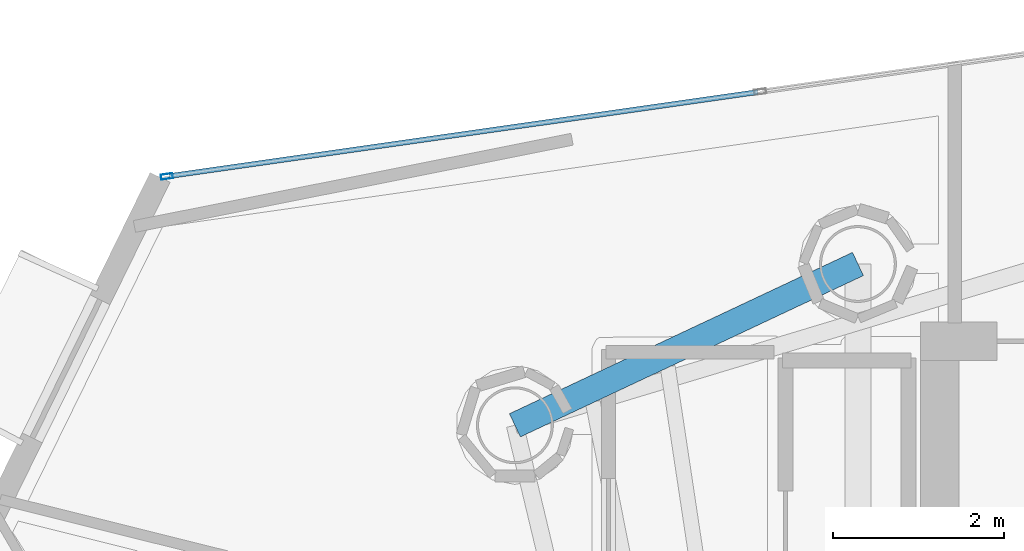
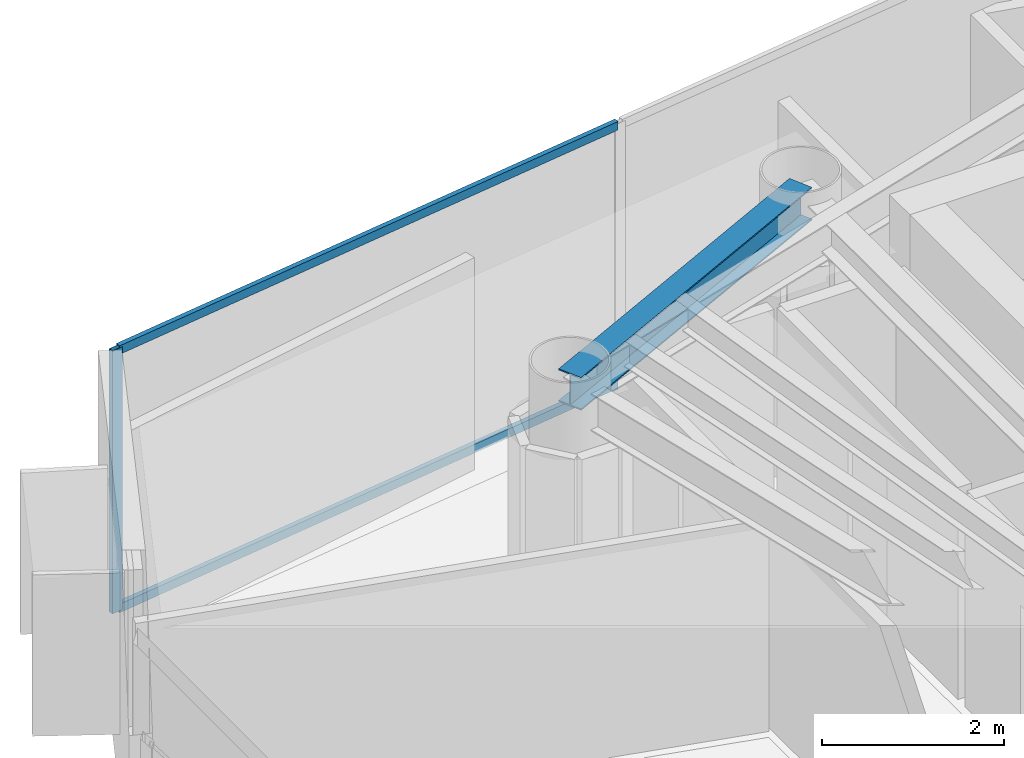
# One storey, part 11 of 25: 3 members, 1 beam, 1 element without a shape of its own.
"""IFC4 building model written with IfcOpenShell, lengths in metres."""

import ifcopenshell
import ifcopenshell.guid

model = None  # the IFC model being written
_history = None  # IfcOwnerHistory: only IFC2X3 demands one
_inside = {}  # id of a spatial element -> (the spatial element, [elements in it])
_under = {}  # id of a project, library or spatial element -> (it, [spatial elements below it])
_declared = {}  # id of a project -> (the project, [libraries it declares])
_typed = {}  # id of a type object -> (the type object, [elements of that type])
_made_of = {}  # id of a material, layer set ... -> (it, [elements and type objects made of it])


def new_model(schema):
    """Start an empty IFC model of exactly this schema.

    Asked for "IFC4X3", IfcOpenShell would pick the latest addendum, in which some entities
    have other attributes; the version numbers below select the first issue.
    IFC2X3 requires an IfcOwnerHistory on every rooted entity: one is made here for all.
    """
    global model, _history
    if schema == "IFC4X3":
        model = ifcopenshell.file(schema_version=(4, 3, 0, 0))
    else:
        model = ifcopenshell.file(schema=schema)
    _inside.clear()
    _under.clear()
    _declared.clear()
    _typed.clear()
    _made_of.clear()
    _history = None
    if model.schema == "IFC2X3":
        org = make("IfcOrganization", Name="unknown")
        user = make(
            "IfcPersonAndOrganization",
            ThePerson=make("IfcPerson", FamilyName="unknown"),
            TheOrganization=org,
        )
        app = make(
            "IfcApplication",
            ApplicationDeveloper=org,
            Version="unknown",
            ApplicationFullName="unknown",
            ApplicationIdentifier="unknown",
        )
        _history = make(
            "IfcOwnerHistory",
            OwningUser=user,
            OwningApplication=app,
            ChangeAction="ADDED",
            CreationDate=0,
        )
    return model


def make(cls, **values):
    """One entity of the class cls with the attributes given. An attribute that is None is left unset."""
    return model.create_entity(
        cls, **{name: value for name, value in values.items() if value is not None}
    )


def rooted(cls, **values):
    """An entity with a GlobalId (a new one), such as an element, a storey or a relation."""
    return make(cls, GlobalId=ifcopenshell.guid.new(), OwnerHistory=_history, **values)


def si_unit(unit_type, name, prefix=None):
    """IfcSIUnit, for example si_unit("LENGTHUNIT", "METRE", prefix="MILLI")."""
    return make("IfcSIUnit", UnitType=unit_type, Prefix=prefix, Name=name)


def assignment(units):
    """IfcUnitAssignment: the units of a project."""
    return None if units is None else make("IfcUnitAssignment", Units=units)


def point(xyz):
    """IfcCartesianPoint."""
    return None if xyz is None else make("IfcCartesianPoint", Coordinates=xyz)


def direction(xyz):
    """IfcDirection."""
    return None if xyz is None else make("IfcDirection", DirectionRatios=xyz)


def frame(location, z_axis=None, x_axis=None):
    """IfcAxis2Placement3D, a coordinate frame: its origin and axes. An axis left out is left unset."""
    return make(
        "IfcAxis2Placement3D",
        Location=point(location),
        Axis=direction(z_axis),
        RefDirection=direction(x_axis),
    )


def frame_2d(location, x_axis=None):
    """IfcAxis2Placement2D, a coordinate frame in the plane: its origin and x axis."""
    return make(
        "IfcAxis2Placement2D", Location=point(location), RefDirection=direction(x_axis)
    )


def origin():
    """The frame at (0, 0, 0) with its axes left unset."""
    return frame((0.0, 0.0, 0.0))


def origin_2d():
    """The frame at (0, 0) in the plane with its x axis left unset."""
    return frame_2d((0.0, 0.0))


def place(relative_to, where):
    """IfcLocalPlacement: puts the frame where relative to a parent placement (None: the world)."""
    return make(
        "IfcLocalPlacement", PlacementRelTo=relative_to, RelativePlacement=where
    )


def context(
    kind, dimensions, precision=None, world=None, true_north=None, identifier=None
):
    """IfcGeometricRepresentationContext, for example the 3D "Model" context."""
    return make(
        "IfcGeometricRepresentationContext",
        ContextIdentifier=identifier,
        ContextType=kind,
        CoordinateSpaceDimension=dimensions,
        Precision=precision,
        WorldCoordinateSystem=world,
        TrueNorth=true_north,
    )


def subcontext(parent, identifier, kind, view, scale=None):
    """IfcGeometricRepresentationSubContext, for example "Body" below "Model"."""
    return make(
        "IfcGeometricRepresentationSubContext",
        ContextIdentifier=identifier,
        ContextType=kind,
        ParentContext=parent,
        TargetScale=scale,
        TargetView=view,
    )


def project(units=None, contexts=None):
    """IfcProject with its units and contexts."""
    return rooted(
        "IfcProject",
        Name="project",
        RepresentationContexts=contexts,
        UnitsInContext=assignment(units),
    )


def spatial(cls, under=None, at=None, **own):
    """A site, building, storey or space (cls), placed at a placement, below another one or the project."""
    s = rooted(cls, ObjectPlacement=at, **own)
    if under is not None:
        _under.setdefault(under.id(), (under, []))[1].append(s)
    return s


def profile(cls, at=None, kind="AREA", **sizes):
    """A parametric profile (cls). Its sizes go by their IFC names, for example OverallWidth=200.0."""
    return make(cls, ProfileType=kind, Position=at, **sizes)


def hollow_rectangle(**sizes):
    """IfcRectangleHollowProfileDef."""
    return profile("IfcRectangleHollowProfileDef", **sizes)


def i_section(**sizes):
    """IfcIShapeProfileDef."""
    return profile("IfcIShapeProfileDef", **sizes)


def extrude(swept, where, along, depth):
    """IfcExtrudedAreaSolid: the profile swept, set in the frame where, extruded along a direction by depth."""
    return make(
        "IfcExtrudedAreaSolid",
        SweptArea=swept,
        Position=where,
        ExtrudedDirection=direction(along),
        Depth=depth,
    )


def shape(context_of_items, identifier, shape_type, items):
    """IfcShapeRepresentation: the items that make up one representation, for example the "Body"."""
    return make(
        "IfcShapeRepresentation",
        ContextOfItems=context_of_items,
        RepresentationIdentifier=identifier,
        RepresentationType=shape_type,
        Items=items,
    )


def material(Name=None, Category=None):
    """IfcMaterial."""
    return make("IfcMaterial", Name=Name, Category=Category)


def layer(
    of_material, thickness, ventilated=None, Name=None, Category=None, Priority=None
):
    """IfcMaterialLayer: one layer of a wall or slab, of a material (None: an air gap)."""
    return make(
        "IfcMaterialLayer",
        Material=of_material,
        LayerThickness=thickness,
        IsVentilated=ventilated,
        Name=Name,
        Category=Category,
        Priority=Priority,
    )


def layer_set(layers, Name=None):
    """IfcMaterialLayerSet."""
    return make("IfcMaterialLayerSet", MaterialLayers=layers, LayerSetName=Name)


def material_profile(
    of_material, cross_section, Name=None, Category=None, Priority=None
):
    """IfcMaterialProfile: a cross section and its material."""
    return make(
        "IfcMaterialProfile",
        Name=Name,
        Material=of_material,
        Profile=cross_section,
        Priority=Priority,
        Category=Category,
    )


def profile_set(profiles, Name=None, composite=None):
    """IfcMaterialProfileSet."""
    return make(
        "IfcMaterialProfileSet",
        Name=Name,
        MaterialProfiles=profiles,
        CompositeProfile=composite,
    )


def made_of(thing, what):
    """Note that an element or type object is made of a material, layer set ...; save() writes the relation."""
    if what is not None:
        _made_of.setdefault(what.id(), (what, []))[1].append(thing)
    return thing


def type_object(cls, material=None, **own):
    """A type object (cls), such as IfcWallType, which elements share."""
    return made_of(rooted(cls, **own), material)


def element(
    cls,
    number,
    at=None,
    inside=None,
    cuts=None,
    type_object=None,
    material=None,
    context=None,
    identifier="Body",
    shape_type=None,
    held_by="IfcProductDefinitionShape",
    body=None,
    shapes=None,
    **own,
):
    """One element of the class cls, such as IfcWall. Its Tag is "e" and its number.

    at: its placement. inside: the storey or other place that contains it. cuts: it is an
    opening in that element (IfcRelVoidsElement). A single representation is given by context,
    identifier, shape_type and body (its items); several are given by shapes. held_by: the class
    of the entity that holds the representations. save() writes the other relations.
    """
    e = rooted(cls, Tag="e%d" % number, ObjectPlacement=at, **own)
    if body is not None:
        shapes = [shape(context, identifier, shape_type, body)]
    if shapes is not None:
        e.Representation = make(held_by, Representations=shapes)
    if inside is not None:
        _inside.setdefault(inside.id(), (inside, []))[1].append(e)
    if cuts is not None:
        rooted(
            "IfcRelVoidsElement", RelatingBuildingElement=cuts, RelatedOpeningElement=e
        )
    if type_object is not None:
        _typed.setdefault(type_object.id(), (type_object, []))[1].append(e)
    return made_of(e, material)


def aggregate(whole, parts):
    """IfcRelAggregates: a whole, such as a stair, and the parts it consists of."""
    return rooted("IfcRelAggregates", RelatingObject=whole, RelatedObjects=parts)


def save(model, path):
    """Write the relations noted so far, then the file.

    IfcRelAggregates (storeys below a building ...), IfcRelContainedInSpatialStructure (elements
    in a storey), IfcRelDefinesByType, IfcRelAssociatesMaterial and IfcRelDeclares: one each for
    every whole, place, type object, material and project.
    """
    for whole, parts in _under.values():
        aggregate(whole, parts)
    for where, things in _inside.values():
        rooted(
            "IfcRelContainedInSpatialStructure",
            RelatedElements=things,
            RelatingStructure=where,
        )
    for kind, things in _typed.values():
        rooted("IfcRelDefinesByType", RelatedObjects=things, RelatingType=kind)
    for what, things in _made_of.values():
        rooted("IfcRelAssociatesMaterial", RelatedObjects=things, RelatingMaterial=what)
    for by, libraries in _declared.values():
        rooted("IfcRelDeclares", RelatingContext=by, RelatedDefinitions=libraries)
    model.write(path)


model = new_model("IFC4")

# Units and contexts
model_context = context("Model", 3, precision=1e-05, world=origin(), true_north=direction((0.0, 1.0)))
body_context = subcontext(model_context, "Body", "Model", "MODEL_VIEW")
ifc_project = project(units=[si_unit("LENGTHUNIT", "METRE"), si_unit("AREAUNIT", "SQUARE_METRE"), si_unit("VOLUMEUNIT", "CUBIC_METRE"), si_unit("PLANEANGLEUNIT", "RADIAN"), si_unit("MASSUNIT", "GRAM", prefix="KILO")], contexts=[model_context])

# Site, building, storey
site_placement = place(None, origin())
site = spatial("IfcSite", under=ifc_project, at=site_placement, CompositionType="ELEMENT")
building_placement = place(site_placement, origin())
building = spatial("IfcBuilding", under=site, at=building_placement, Name="Qianvela Tower", CompositionType="ELEMENT")
storey_placement = place(building_placement, frame((0.0, 0.0, 291.699951171875)))
storey = spatial("IfcBuildingStorey", under=building, at=storey_placement, Name="L75", CompositionType="ELEMENT", Elevation=291.699951171875)

# Beam
ifc_material_1 = material(Name="Steel Q355B", Category="steel")
ifc_material_profile_1 = material_profile(ifc_material_1, i_section(OverallWidth=0.300048828125, OverallDepth=0.43994140625, WebThickness=0.010986328125, FlangeThickness=0.01806640625, at=origin_2d()), Name="HM440x300x11x18")
ifc_profile_set_1 = profile_set([ifc_material_profile_1], Name="Steel Q355B")
beam_type = type_object("IfcBeamType", Name="BM-HM440-COLL", PredefinedType="BEAM", material=ifc_profile_set_1)
beam_placement = place(storey_placement, frame((28.60009765625, 33.550048828125, 3.298095703125), z_axis=(-0.904957143986, -0.425502723316, 0.0), x_axis=(0.425502723316, -0.904957143986, 0.0)))
element("IfcBeam", 1, at=beam_placement, inside=storey, type_object=beam_type, Name="L75 Radial Primary Floor Girder 3", PredefinedType="BEAM", context=body_context, shape_type="SweptSolid", body=[
    extrude(i_section(OverallWidth=0.300048828125, OverallDepth=0.43994140625, WebThickness=0.010986328125, FlangeThickness=0.01806640625, at=origin_2d()), origin(), (0.0, 0.0, 1.0), 4.4345703125),
])

# Curtain wall, members
ifc_material_2 = material(Name="Anodised Architectural Aluminium and Low-E Glass", Category="aluminium")
ifc_layer = layer(ifc_material_2, 0.14990234375)
ifc_layer_set = layer_set([ifc_layer], Name="Anodised Architectural Aluminium and Low-E Glass")
curtain_wall_type = type_object("IfcCurtainWallType", Name="CW-COLIV-Z78", PredefinedType="USERDEFINED", material=ifc_layer_set)
curtain_wall_placement = place(storey_placement, origin())
curtain_wall = element("IfcCurtainWall", 2, at=curtain_wall_placement, inside=storey, type_object=curtain_wall_type, Name="L75 CW-COLIV-Z78 Curtain Wall 02C", ObjectType="CURTAIN_WALL_SYSTEM", PredefinedType="USERDEFINED")
ifc_material_3 = material(Name="Anodised Architectural Aluminium 6063-T6", Category="aluminium")
ifc_material_profile_2 = material_profile(ifc_material_3, hollow_rectangle(XDim=0.06005859375, YDim=0.139892578125, WallThickness=0.00439453125, at=origin_2d()), Name="ALU-MULL-60x140")
ifc_profile_set_2 = profile_set([ifc_material_profile_2], Name="Anodised Architectural Aluminium 6063-T6")
member_type_1 = type_object("IfcMemberType", Name="CW-COLIV-Z78-MULL", PredefinedType="MULLION", material=ifc_profile_set_2)
member_1_placement = place(storey_placement, frame((20.515380859375, 34.57470703125, 0.0), z_axis=(0.0, 0.0, 1.0), x_axis=(0.141364696519, -0.989957586252, 0.0)))
member_1 = element("IfcMember", 3, at=member_1_placement, type_object=member_type_1, Name="CW-6 mullion 3", PredefinedType="MULLION", context=body_context, shape_type="SweptSolid", body=[
    extrude(hollow_rectangle(XDim=0.06005859375, YDim=0.139892578125, WallThickness=0.00439453125, at=origin_2d()), origin(), (0.0, 0.0, 1.0), 3.52001953125),
])
ifc_material_4 = material(Name="Anodised Architectural Aluminium 6063-T6", Category="aluminium")
ifc_material_profile_3 = material_profile(ifc_material_4, hollow_rectangle(XDim=0.06005859375, YDim=0.114990234375, WallThickness=0.00390625, at=origin_2d()), Name="ALU-TRAN-60x115")
ifc_profile_set_3 = profile_set([ifc_material_profile_3], Name="Anodised Architectural Aluminium 6063-T6")
member_type_2 = type_object("IfcMemberType", Name="CW-COLIV-Z78-TRAN", PredefinedType="USERDEFINED", material=ifc_profile_set_3)
member_2_placement = place(storey_placement, frame((27.427490234375, 35.561767578125, 0.030029296875), z_axis=(-0.989955111639, -0.141382024812, 0.0), x_axis=(0.141382024812, -0.989955111639, 0.0)))
member_2 = element("IfcMember", 4, at=member_2_placement, type_object=member_type_2, Name="CW-6 transom 2.1", ObjectType="TRANSOM", PredefinedType="USERDEFINED", context=body_context, shape_type="SweptSolid", body=[
    extrude(hollow_rectangle(XDim=0.06005859375, YDim=0.114990234375, WallThickness=0.00390625, at=origin_2d()), origin(), (0.0, 0.0, 1.0), 6.9521484375),
])
member_3_placement = place(storey_placement, frame((27.427490234375, 35.561767578125, 3.489990234375), z_axis=(-0.989955111639, -0.141382024812, 0.0), x_axis=(0.141382024812, -0.989955111639, 0.0)))
member_3 = element("IfcMember", 5, at=member_3_placement, type_object=member_type_2, Name="CW-6 transom 2.2", ObjectType="TRANSOM", PredefinedType="USERDEFINED", context=body_context, shape_type="SweptSolid", body=[
    extrude(hollow_rectangle(XDim=0.06005859375, YDim=0.114990234375, WallThickness=0.00390625, at=origin_2d()), origin(), (0.0, 0.0, 1.0), 6.9521484375),
])
aggregate(curtain_wall, [member_1, member_2, member_3])

save(model, "model.ifc")
